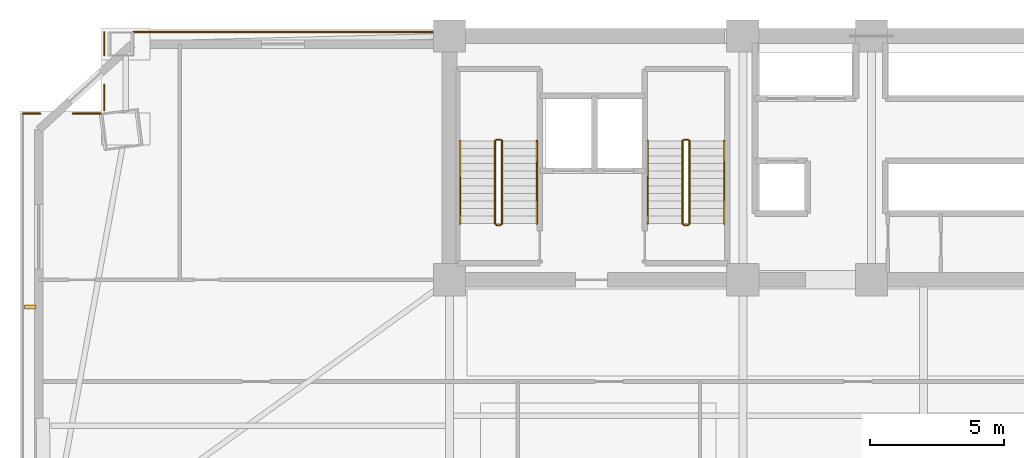
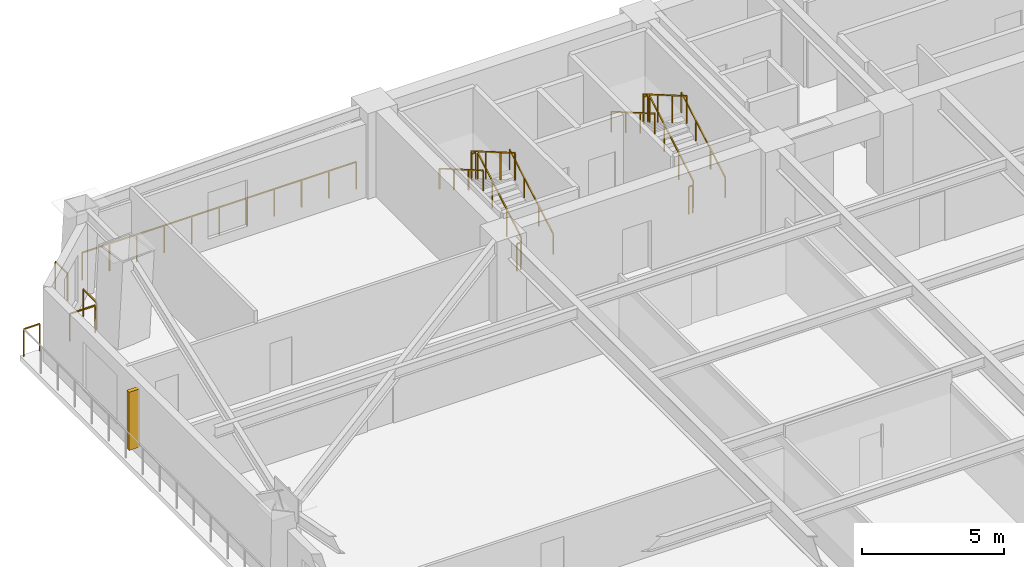
# One storey, part 14 of 15: 17 railings, 1 shading device.
"""IFC4 building model written with IfcOpenShell, lengths in metres."""

import ifcopenshell
import ifcopenshell.guid

model = None  # the IFC model being written
_history = None  # IfcOwnerHistory: only IFC2X3 demands one
_inside = {}  # id of a spatial element -> (the spatial element, [elements in it])
_under = {}  # id of a project, library or spatial element -> (it, [spatial elements below it])
_declared = {}  # id of a project -> (the project, [libraries it declares])
_typed = {}  # id of a type object -> (the type object, [elements of that type])
_made_of = {}  # id of a material, layer set ... -> (it, [elements and type objects made of it])


def new_model(schema):
    """Start an empty IFC model of exactly this schema.

    Asked for "IFC4X3", IfcOpenShell would pick the latest addendum, in which some entities
    have other attributes; the version numbers below select the first issue.
    IFC2X3 requires an IfcOwnerHistory on every rooted entity: one is made here for all.
    """
    global model, _history
    if schema == "IFC4X3":
        model = ifcopenshell.file(schema_version=(4, 3, 0, 0))
    else:
        model = ifcopenshell.file(schema=schema)
    _inside.clear()
    _under.clear()
    _declared.clear()
    _typed.clear()
    _made_of.clear()
    _history = None
    if model.schema == "IFC2X3":
        org = make("IfcOrganization", Name="unknown")
        user = make(
            "IfcPersonAndOrganization",
            ThePerson=make("IfcPerson", FamilyName="unknown"),
            TheOrganization=org,
        )
        app = make(
            "IfcApplication",
            ApplicationDeveloper=org,
            Version="unknown",
            ApplicationFullName="unknown",
            ApplicationIdentifier="unknown",
        )
        _history = make(
            "IfcOwnerHistory",
            OwningUser=user,
            OwningApplication=app,
            ChangeAction="ADDED",
            CreationDate=0,
        )
    return model


def make(cls, **values):
    """One entity of the class cls with the attributes given. An attribute that is None is left unset."""
    return model.create_entity(
        cls, **{name: value for name, value in values.items() if value is not None}
    )


def rooted(cls, **values):
    """An entity with a GlobalId (a new one), such as an element, a storey or a relation."""
    return make(cls, GlobalId=ifcopenshell.guid.new(), OwnerHistory=_history, **values)


def si_unit(unit_type, name, prefix=None):
    """IfcSIUnit, for example si_unit("LENGTHUNIT", "METRE", prefix="MILLI")."""
    return make("IfcSIUnit", UnitType=unit_type, Prefix=prefix, Name=name)


def assignment(units):
    """IfcUnitAssignment: the units of a project."""
    return None if units is None else make("IfcUnitAssignment", Units=units)


def point(xyz):
    """IfcCartesianPoint."""
    return None if xyz is None else make("IfcCartesianPoint", Coordinates=xyz)


def direction(xyz):
    """IfcDirection."""
    return None if xyz is None else make("IfcDirection", DirectionRatios=xyz)


def frame(location, z_axis=None, x_axis=None):
    """IfcAxis2Placement3D, a coordinate frame: its origin and axes. An axis left out is left unset."""
    return make(
        "IfcAxis2Placement3D",
        Location=point(location),
        Axis=direction(z_axis),
        RefDirection=direction(x_axis),
    )


def frame_2d(location, x_axis=None):
    """IfcAxis2Placement2D, a coordinate frame in the plane: its origin and x axis."""
    return make(
        "IfcAxis2Placement2D", Location=point(location), RefDirection=direction(x_axis)
    )


def origin():
    """The frame at (0, 0, 0) with its axes left unset."""
    return frame((0.0, 0.0, 0.0))


def origin_2d():
    """The frame at (0, 0) in the plane with its x axis left unset."""
    return frame_2d((0.0, 0.0))


def place(relative_to, where):
    """IfcLocalPlacement: puts the frame where relative to a parent placement (None: the world)."""
    return make(
        "IfcLocalPlacement", PlacementRelTo=relative_to, RelativePlacement=where
    )


def context(
    kind, dimensions, precision=None, world=None, true_north=None, identifier=None
):
    """IfcGeometricRepresentationContext, for example the 3D "Model" context."""
    return make(
        "IfcGeometricRepresentationContext",
        ContextIdentifier=identifier,
        ContextType=kind,
        CoordinateSpaceDimension=dimensions,
        Precision=precision,
        WorldCoordinateSystem=world,
        TrueNorth=true_north,
    )


def subcontext(parent, identifier, kind, view, scale=None):
    """IfcGeometricRepresentationSubContext, for example "Body" below "Model"."""
    return make(
        "IfcGeometricRepresentationSubContext",
        ContextIdentifier=identifier,
        ContextType=kind,
        ParentContext=parent,
        TargetScale=scale,
        TargetView=view,
    )


def project(units=None, contexts=None):
    """IfcProject with its units and contexts."""
    return rooted(
        "IfcProject",
        Name="project",
        RepresentationContexts=contexts,
        UnitsInContext=assignment(units),
    )


def spatial(cls, under=None, at=None, **own):
    """A site, building, storey or space (cls), placed at a placement, below another one or the project."""
    s = rooted(cls, ObjectPlacement=at, **own)
    if under is not None:
        _under.setdefault(under.id(), (under, []))[1].append(s)
    return s


def profile(cls, at=None, kind="AREA", **sizes):
    """A parametric profile (cls). Its sizes go by their IFC names, for example OverallWidth=200.0."""
    return make(cls, ProfileType=kind, Position=at, **sizes)


def rectangle(**sizes):
    """IfcRectangleProfileDef."""
    return profile("IfcRectangleProfileDef", **sizes)


def extrude(swept, where, along, depth):
    """IfcExtrudedAreaSolid: the profile swept, set in the frame where, extruded along a direction by depth."""
    return make(
        "IfcExtrudedAreaSolid",
        SweptArea=swept,
        Position=where,
        ExtrudedDirection=direction(along),
        Depth=depth,
    )


def shape(context_of_items, identifier, shape_type, items):
    """IfcShapeRepresentation: the items that make up one representation, for example the "Body"."""
    return make(
        "IfcShapeRepresentation",
        ContextOfItems=context_of_items,
        RepresentationIdentifier=identifier,
        RepresentationType=shape_type,
        Items=items,
    )


def source(mapping_origin, context_of_items, identifier, shape_type, items):
    """IfcRepresentationMap: a shape defined once, which mapped items show again and again."""
    return make(
        "IfcRepresentationMap",
        MappingOrigin=mapping_origin,
        MappedRepresentation=shape(context_of_items, identifier, shape_type, items),
    )


def transform(
    local_origin,
    x_axis=None,
    y_axis=None,
    z_axis=None,
    scale=None,
    scale2=None,
    scale3=None,
    uniform=True,
):
    """IfcCartesianTransformationOperator3D, or its non-uniform kind. x_axis, y_axis, z_axis: its Axis1, 2, 3."""
    if uniform:
        return make(
            "IfcCartesianTransformationOperator3D",
            Axis1=direction(x_axis),
            Axis2=direction(y_axis),
            LocalOrigin=point(local_origin),
            Scale=scale,
            Axis3=direction(z_axis),
        )
    return make(
        "IfcCartesianTransformationOperator3DnonUniform",
        Axis1=direction(x_axis),
        Axis2=direction(y_axis),
        LocalOrigin=point(local_origin),
        Scale=scale,
        Axis3=direction(z_axis),
        Scale2=scale2,
        Scale3=scale3,
    )


def mapped(mapping_source, mapping_target):
    """IfcMappedItem: shows the shape of a source again, moved by a transform."""
    return make(
        "IfcMappedItem", MappingSource=mapping_source, MappingTarget=mapping_target
    )


def material(Name=None, Category=None):
    """IfcMaterial."""
    return make("IfcMaterial", Name=Name, Category=Category)


def made_of(thing, what):
    """Note that an element or type object is made of a material, layer set ...; save() writes the relation."""
    if what is not None:
        _made_of.setdefault(what.id(), (what, []))[1].append(thing)
    return thing


def type_object(cls, material=None, **own):
    """A type object (cls), such as IfcWallType, which elements share."""
    return made_of(rooted(cls, **own), material)


def element(
    cls,
    number,
    at=None,
    inside=None,
    cuts=None,
    type_object=None,
    material=None,
    context=None,
    identifier="Body",
    shape_type=None,
    held_by="IfcProductDefinitionShape",
    body=None,
    shapes=None,
    **own,
):
    """One element of the class cls, such as IfcWall. Its Tag is "e" and its number.

    at: its placement. inside: the storey or other place that contains it. cuts: it is an
    opening in that element (IfcRelVoidsElement). A single representation is given by context,
    identifier, shape_type and body (its items); several are given by shapes. held_by: the class
    of the entity that holds the representations. save() writes the other relations.
    """
    e = rooted(cls, Tag="e%d" % number, ObjectPlacement=at, **own)
    if body is not None:
        shapes = [shape(context, identifier, shape_type, body)]
    if shapes is not None:
        e.Representation = make(held_by, Representations=shapes)
    if inside is not None:
        _inside.setdefault(inside.id(), (inside, []))[1].append(e)
    if cuts is not None:
        rooted(
            "IfcRelVoidsElement", RelatingBuildingElement=cuts, RelatedOpeningElement=e
        )
    if type_object is not None:
        _typed.setdefault(type_object.id(), (type_object, []))[1].append(e)
    return made_of(e, material)


def aggregate(whole, parts):
    """IfcRelAggregates: a whole, such as a stair, and the parts it consists of."""
    return rooted("IfcRelAggregates", RelatingObject=whole, RelatedObjects=parts)


def save(model, path):
    """Write the relations noted so far, then the file.

    IfcRelAggregates (storeys below a building ...), IfcRelContainedInSpatialStructure (elements
    in a storey), IfcRelDefinesByType, IfcRelAssociatesMaterial and IfcRelDeclares: one each for
    every whole, place, type object, material and project.
    """
    for whole, parts in _under.values():
        aggregate(whole, parts)
    for where, things in _inside.values():
        rooted(
            "IfcRelContainedInSpatialStructure",
            RelatedElements=things,
            RelatingStructure=where,
        )
    for kind, things in _typed.values():
        rooted("IfcRelDefinesByType", RelatedObjects=things, RelatingType=kind)
    for what, things in _made_of.values():
        rooted("IfcRelAssociatesMaterial", RelatedObjects=things, RelatingMaterial=what)
    for by, libraries in _declared.values():
        rooted("IfcRelDeclares", RelatingContext=by, RelatedDefinitions=libraries)
    model.write(path)


model = new_model("IFC4")

# Units and contexts
model_context = context("Model", 3, precision=1e-05, world=origin(), true_north=direction((0.0, 1.0)))
body_context = subcontext(model_context, "Body", "Model", "MODEL_VIEW")
ifc_project = project(units=[si_unit("LENGTHUNIT", "METRE"), si_unit("AREAUNIT", "SQUARE_METRE"), si_unit("VOLUMEUNIT", "CUBIC_METRE"), si_unit("PLANEANGLEUNIT", "RADIAN"), si_unit("MASSUNIT", "GRAM", prefix="KILO")], contexts=[model_context])

# Site, building, storey
site_placement = place(None, origin())
site = spatial("IfcSite", under=ifc_project, at=site_placement, CompositionType="ELEMENT")
building_placement = place(site_placement, origin())
building = spatial("IfcBuilding", under=site, at=building_placement, Name="Giltprow Tower", CompositionType="ELEMENT")
storey_placement = place(building_placement, frame((0.0, 0.0, 107.5)))
storey = spatial("IfcBuildingStorey", under=building, at=storey_placement, Name="L26", CompositionType="ELEMENT", Elevation=107.5)

# Railings
ifc_material = material(Name="Anodized bronze", Category="metal")
railing_type_1 = type_object("IfcRailingType", Name="RAIL-BALC-GUARD-1200", PredefinedType="BALUSTRADE", material=ifc_material)
railing_1_placement = place(storey_placement, frame((3.909912109375, 43.656005859375, 0.0)))
element("IfcRailing", 1, at=railing_1_placement, inside=storey, type_object=railing_type_1, Name="L26 Corner Apron Edge Balustrade 6", PredefinedType="BALUSTRADE", context=body_context, shape_type="SweptSolid", body=[
    extrude(rectangle(XDim=0.048095703125, YDim=0.048095703125, at=origin_2d()), frame((0.0, 0.0, 1.17578125), z_axis=(1.0, 0.0, 0.0), x_axis=(0.0, 1.0, 0.0)), (0.0, 0.0, 1.0), 0.649169921875),
    extrude(rectangle(XDim=0.0419921875, YDim=0.0419921875, at=origin_2d()), origin(), (0.0, 0.0, 1.0), 1.15185546875),
    extrude(rectangle(XDim=0.0419921875, YDim=0.0419921875, at=origin_2d()), frame((0.649169921875, 0.0, 0.0)), (0.0, 0.0, 1.0), 1.15185546875),
])
railing_2_placement = place(storey_placement, frame((5.77392578125, 43.656005859375, 0.0)))
element("IfcRailing", 2, at=railing_2_placement, inside=storey, type_object=railing_type_1, Name="L26 Corner Apron Edge Balustrade 7", PredefinedType="BALUSTRADE", context=body_context, shape_type="SweptSolid", body=[
    extrude(rectangle(XDim=0.048095703125, YDim=0.048095703125, at=origin_2d()), frame((0.0, 0.0, 1.17578125), z_axis=(1.0, 0.0, 0.0), x_axis=(0.0, 1.0, 0.0)), (0.0, 0.0, 1.0), 1.044189453125),
    extrude(rectangle(XDim=0.0419921875, YDim=0.0419921875, at=origin_2d()), origin(), (0.0, 0.0, 1.0), 1.15185546875),
    extrude(rectangle(XDim=0.0419921875, YDim=0.0419921875, at=origin_2d()), frame((1.044189453125, 0.0, 0.0)), (0.0, 0.0, 1.0), 1.15185546875),
])
railing_3_placement = place(storey_placement, frame((6.952880859375, 43.791015625, 0.0)))
element("IfcRailing", 3, at=railing_3_placement, inside=storey, type_object=railing_type_1, Name="L26 Corner Apron Edge Balustrade 8", PredefinedType="BALUSTRADE", context=body_context, shape_type="SweptSolid", body=[
    extrude(rectangle(XDim=0.048095703125, YDim=0.048095703125, at=origin_2d()), frame((0.0, 0.0, 1.17578125), z_axis=(0.0, 1.0, 0.0), x_axis=(-1.0, 0.0, 0.0)), (0.0, 0.0, 1.0), 0.94287109375),
    extrude(rectangle(XDim=0.0419921875, YDim=0.0419921875, at=origin_2d()), origin(), (0.0, 0.0, 1.0), 1.15185546875),
    extrude(rectangle(XDim=0.0419921875, YDim=0.0419921875, at=origin_2d()), frame((0.0, 0.94287109375, 0.0)), (0.0, 0.0, 1.0), 1.15185546875),
])
railing_4_placement = place(storey_placement, frame((6.952880859375, 45.844970703125, 0.0)))
element("IfcRailing", 4, at=railing_4_placement, inside=storey, type_object=railing_type_1, Name="L26 Corner Apron Edge Balustrade 9", PredefinedType="BALUSTRADE", context=body_context, shape_type="SweptSolid", body=[
    extrude(rectangle(XDim=0.048095703125, YDim=0.048095703125, at=origin_2d()), frame((0.0, 0.0, 1.17578125), z_axis=(0.0, 1.0, 0.0), x_axis=(-1.0, 0.0, 0.0)), (0.0, 0.0, 1.0), 0.85400390625),
    extrude(rectangle(XDim=0.0419921875, YDim=0.0419921875, at=origin_2d()), origin(), (0.0, 0.0, 1.0), 1.15185546875),
    extrude(rectangle(XDim=0.0419921875, YDim=0.0419921875, at=origin_2d()), frame((0.0, 0.85400390625, 0.0)), (0.0, 0.0, 1.0), 1.15185546875),
])
railing_5_placement = place(storey_placement, frame((8.0380859375, 46.698974609375, 0.0)))
element("IfcRailing", 5, at=railing_5_placement, inside=storey, type_object=railing_type_1, Name="L26 Corner Apron Edge Balustrade 10", PredefinedType="BALUSTRADE", context=body_context, shape_type="SweptSolid", body=[
    extrude(rectangle(XDim=0.048095703125, YDim=0.048095703125, at=origin_2d()), frame((0.0, 0.0, 1.17578125), z_axis=(1.0, 0.0, 0.0), x_axis=(0.0, 1.0, 0.0)), (0.0, 0.0, 1.0), 11.177001953125),
    extrude(rectangle(XDim=0.0419921875, YDim=0.0419921875, at=origin_2d()), origin(), (0.0, 0.0, 1.0), 1.15185546875),
    extrude(rectangle(XDim=0.0419921875, YDim=0.0419921875, at=origin_2d()), frame((1.11767578125, 0.0, 0.0)), (0.0, 0.0, 1.0), 1.15185546875),
    extrude(rectangle(XDim=0.0419921875, YDim=0.0419921875, at=origin_2d()), frame((2.2353515625, 0.0, 0.0)), (0.0, 0.0, 1.0), 1.15185546875),
    extrude(rectangle(XDim=0.0419921875, YDim=0.0419921875, at=origin_2d()), frame((3.35302734375, 0.0, 0.0)), (0.0, 0.0, 1.0), 1.15185546875),
    extrude(rectangle(XDim=0.0419921875, YDim=0.0419921875, at=origin_2d()), frame((4.470703125, 0.0, 0.0)), (0.0, 0.0, 1.0), 1.15185546875),
    extrude(rectangle(XDim=0.0419921875, YDim=0.0419921875, at=origin_2d()), frame((5.58837890625, 0.0, 0.0)), (0.0, 0.0, 1.0), 1.15185546875),
    extrude(rectangle(XDim=0.0419921875, YDim=0.0419921875, at=origin_2d()), frame((6.706298828125, 0.0, 0.0)), (0.0, 0.0, 1.0), 1.15185546875),
    extrude(rectangle(XDim=0.0419921875, YDim=0.0419921875, at=origin_2d()), frame((7.823974609375, 0.0, 0.0)), (0.0, 0.0, 1.0), 1.15185546875),
    extrude(rectangle(XDim=0.0419921875, YDim=0.0419921875, at=origin_2d()), frame((8.941650390625, 0.0, 0.0)), (0.0, 0.0, 1.0), 1.15185546875),
    extrude(rectangle(XDim=0.0419921875, YDim=0.0419921875, at=origin_2d()), frame((10.059326171875, 0.0, 0.0)), (0.0, 0.0, 1.0), 1.15185546875),
    extrude(rectangle(XDim=0.0419921875, YDim=0.0419921875, at=origin_2d()), frame((11.177001953125, 0.0, 0.0)), (0.0, 0.0, 1.0), 1.15185546875),
])
railing_type_2 = type_object("IfcRailingType", Name="RAIL-STAIR-GUARD-1200", PredefinedType="GUARDRAIL", material=ifc_material)
railing_6_placement = place(storey_placement, frame((21.81005859375, 39.550048828125, 0.16259765625)))
element("IfcRailing", 6, at=railing_6_placement, inside=storey, type_object=railing_type_2, Name="L26 ST-1 stair guard 1", PredefinedType="GUARDRAIL", context=body_context, shape_type="SweptSolid", body=[
    extrude(rectangle(XDim=0.048095703125, YDim=0.048095703125, at=origin_2d()), frame((0.0, 0.0, 1.17578125), z_axis=(0.0, 0.864903211148, 0.501938676878), x_axis=(-1.0, 0.0, 0.0)), (0.0, 0.0, 1.0), 3.560791015625),
    extrude(rectangle(XDim=0.0419921875, YDim=0.0419921875, at=origin_2d()), origin(), (0.0, 0.0, 1.0), 1.15185546875),
    extrude(rectangle(XDim=0.0419921875, YDim=0.0419921875, at=origin_2d()), frame((0.0, 1.026611328125, 0.595703125)), (0.0, 0.0, 1.0), 1.15185546875),
    extrude(rectangle(XDim=0.0419921875, YDim=0.0419921875, at=origin_2d()), frame((0.0, 2.05322265625, 1.191650390625)), (0.0, 0.0, 1.0), 1.15185546875),
    extrude(rectangle(XDim=0.0419921875, YDim=0.0419921875, at=origin_2d()), frame((0.0, 3.079833984375, 1.787353515625)), (0.0, 0.0, 1.0), 1.15185546875),
])
railing_7_placement = place(storey_placement, frame((21.760009765625, 42.679931640625, 1.949951171875)))
element("IfcRailing", 7, at=railing_7_placement, inside=storey, type_object=railing_type_2, Name="L26 ST-1 stair guard 2", PredefinedType="GUARDRAIL", context=body_context, shape_type="SweptSolid", body=[
    extrude(rectangle(XDim=0.048095703125, YDim=0.048095703125, at=origin_2d()), frame((0.0, 0.0, 1.17578125), z_axis=(-1.0, 0.0, 0.0), x_axis=(0.0, -1.0, 0.0)), (0.0, 0.0, 1.0), 0.159912109375),
    extrude(rectangle(XDim=0.0419921875, YDim=0.0419921875, at=origin_2d()), origin(), (0.0, 0.0, 1.0), 1.15185546875),
    extrude(rectangle(XDim=0.0419921875, YDim=0.0419921875, at=origin_2d()), frame((-0.159912109375, 0.0, 0.0)), (0.0, 0.0, 1.0), 1.15185546875),
])
railing_8_placement = place(storey_placement, frame((21.550048828125, 42.6298828125, 2.112548828125)))
element("IfcRailing", 8, at=railing_8_placement, inside=storey, type_object=railing_type_2, Name="L26 ST-1 stair guard 3", PredefinedType="GUARDRAIL", context=body_context, shape_type="SweptSolid", body=[
    extrude(rectangle(XDim=0.048095703125, YDim=0.048095703125, at=origin_2d()), frame((0.0, 0.0, 1.17578125), z_axis=(0.0, -0.864903211148, 0.501938676878), x_axis=(1.0, 0.0, 0.0)), (0.0, 0.0, 1.0), 3.560791015625),
    extrude(rectangle(XDim=0.0419921875, YDim=0.0419921875, at=origin_2d()), origin(), (0.0, 0.0, 1.0), 1.15185546875),
    extrude(rectangle(XDim=0.0419921875, YDim=0.0419921875, at=origin_2d()), frame((0.0, -1.026611328125, 0.595703125)), (0.0, 0.0, 1.0), 1.15185546875),
    extrude(rectangle(XDim=0.0419921875, YDim=0.0419921875, at=origin_2d()), frame((0.0, -2.05322265625, 1.191650390625)), (0.0, 0.0, 1.0), 1.15185546875),
    extrude(rectangle(XDim=0.0419921875, YDim=0.0419921875, at=origin_2d()), frame((0.0, -3.079833984375, 1.787353515625)), (0.0, 0.0, 1.0), 1.15185546875),
])
railing_9_placement = place(storey_placement, frame((21.760009765625, 39.5, 0.0)))
element("IfcRailing", 9, at=railing_9_placement, inside=storey, type_object=railing_type_2, Name="L26 ST-1 stair guard 4", PredefinedType="GUARDRAIL", context=body_context, shape_type="SweptSolid", body=[
    extrude(rectangle(XDim=0.048095703125, YDim=0.048095703125, at=origin_2d()), frame((0.0, 0.0, 1.17578125), z_axis=(-1.0, 0.0, 0.0), x_axis=(0.0, -1.0, 0.0)), (0.0, 0.0, 1.0), 0.159912109375),
    extrude(rectangle(XDim=0.0419921875, YDim=0.0419921875, at=origin_2d()), origin(), (0.0, 0.0, 1.0), 1.15185546875),
    extrude(rectangle(XDim=0.0419921875, YDim=0.0419921875, at=origin_2d()), frame((-0.159912109375, 0.0, 0.0)), (0.0, 0.0, 1.0), 1.15185546875),
])
railing_10_placement = place(storey_placement, frame((28.81005859375, 39.550048828125, 0.16259765625)))
element("IfcRailing", 10, at=railing_10_placement, inside=storey, type_object=railing_type_2, Name="L26 ST-2 stair guard 1", PredefinedType="GUARDRAIL", context=body_context, shape_type="SweptSolid", body=[
    extrude(rectangle(XDim=0.048095703125, YDim=0.048095703125, at=origin_2d()), frame((0.0, 0.0, 1.17578125), z_axis=(0.0, 0.864903211148, 0.501938676878), x_axis=(-1.0, 0.0, 0.0)), (0.0, 0.0, 1.0), 3.560791015625),
    extrude(rectangle(XDim=0.0419921875, YDim=0.0419921875, at=origin_2d()), origin(), (0.0, 0.0, 1.0), 1.15185546875),
    extrude(rectangle(XDim=0.0419921875, YDim=0.0419921875, at=origin_2d()), frame((0.0, 1.026611328125, 0.595703125)), (0.0, 0.0, 1.0), 1.15185546875),
    extrude(rectangle(XDim=0.0419921875, YDim=0.0419921875, at=origin_2d()), frame((0.0, 2.05322265625, 1.191650390625)), (0.0, 0.0, 1.0), 1.15185546875),
    extrude(rectangle(XDim=0.0419921875, YDim=0.0419921875, at=origin_2d()), frame((0.0, 3.079833984375, 1.787353515625)), (0.0, 0.0, 1.0), 1.15185546875),
])
railing_11_placement = place(storey_placement, frame((28.760009765625, 42.679931640625, 1.949951171875)))
element("IfcRailing", 11, at=railing_11_placement, inside=storey, type_object=railing_type_2, Name="L26 ST-2 stair guard 2", PredefinedType="GUARDRAIL", context=body_context, shape_type="SweptSolid", body=[
    extrude(rectangle(XDim=0.048095703125, YDim=0.048095703125, at=origin_2d()), frame((0.0, 0.0, 1.17578125), z_axis=(-1.0, 0.0, 0.0), x_axis=(0.0, -1.0, 0.0)), (0.0, 0.0, 1.0), 0.159912109375),
    extrude(rectangle(XDim=0.0419921875, YDim=0.0419921875, at=origin_2d()), origin(), (0.0, 0.0, 1.0), 1.15185546875),
    extrude(rectangle(XDim=0.0419921875, YDim=0.0419921875, at=origin_2d()), frame((-0.159912109375, 0.0, 0.0)), (0.0, 0.0, 1.0), 1.15185546875),
])
railing_12_placement = place(storey_placement, frame((28.550048828125, 42.6298828125, 2.112548828125)))
element("IfcRailing", 12, at=railing_12_placement, inside=storey, type_object=railing_type_2, Name="L26 ST-2 stair guard 3", PredefinedType="GUARDRAIL", context=body_context, shape_type="SweptSolid", body=[
    extrude(rectangle(XDim=0.048095703125, YDim=0.048095703125, at=origin_2d()), frame((0.0, 0.0, 1.17578125), z_axis=(0.0, -0.864903211148, 0.501938676878), x_axis=(1.0, 0.0, 0.0)), (0.0, 0.0, 1.0), 3.560791015625),
    extrude(rectangle(XDim=0.0419921875, YDim=0.0419921875, at=origin_2d()), origin(), (0.0, 0.0, 1.0), 1.15185546875),
    extrude(rectangle(XDim=0.0419921875, YDim=0.0419921875, at=origin_2d()), frame((0.0, -1.026611328125, 0.595703125)), (0.0, 0.0, 1.0), 1.15185546875),
    extrude(rectangle(XDim=0.0419921875, YDim=0.0419921875, at=origin_2d()), frame((0.0, -2.05322265625, 1.191650390625)), (0.0, 0.0, 1.0), 1.15185546875),
    extrude(rectangle(XDim=0.0419921875, YDim=0.0419921875, at=origin_2d()), frame((0.0, -3.079833984375, 1.787353515625)), (0.0, 0.0, 1.0), 1.15185546875),
])
railing_13_placement = place(storey_placement, frame((28.760009765625, 39.5, 0.0)))
element("IfcRailing", 13, at=railing_13_placement, inside=storey, type_object=railing_type_2, Name="L26 ST-2 stair guard 4", PredefinedType="GUARDRAIL", context=body_context, shape_type="SweptSolid", body=[
    extrude(rectangle(XDim=0.048095703125, YDim=0.048095703125, at=origin_2d()), frame((0.0, 0.0, 1.17578125), z_axis=(-1.0, 0.0, 0.0), x_axis=(0.0, -1.0, 0.0)), (0.0, 0.0, 1.0), 0.159912109375),
    extrude(rectangle(XDim=0.0419921875, YDim=0.0419921875, at=origin_2d()), origin(), (0.0, 0.0, 1.0), 1.15185546875),
    extrude(rectangle(XDim=0.0419921875, YDim=0.0419921875, at=origin_2d()), frame((-0.159912109375, 0.0, 0.0)), (0.0, 0.0, 1.0), 1.15185546875),
])
railing_type_3 = type_object("IfcRailingType", Name="RAIL-STAIR-HAND-900", PredefinedType="HANDRAIL", material=ifc_material)
railing_14_placement = place(storey_placement, frame((23.110107421875, 39.550048828125, 0.16259765625)))
element("IfcRailing", 14, at=railing_14_placement, inside=storey, type_object=railing_type_3, Name="L26 ST-1 stair handrail 1", PredefinedType="HANDRAIL", context=body_context, shape_type="SweptSolid", body=[
    extrude(rectangle(XDim=0.048095703125, YDim=0.048095703125, at=origin_2d()), frame((0.0, 0.0, 0.8759765625), z_axis=(0.0, 0.864903211148, 0.501938676878), x_axis=(-1.0, 0.0, 0.0)), (0.0, 0.0, 1.0), 3.560791015625),
    extrude(rectangle(XDim=0.0419921875, YDim=0.0419921875, at=origin_2d()), origin(), (0.0, 0.0, 1.0), 0.851806640625),
    extrude(rectangle(XDim=0.0419921875, YDim=0.0419921875, at=origin_2d()), frame((0.0, 1.026611328125, 0.595703125)), (0.0, 0.0, 1.0), 0.851806640625),
    extrude(rectangle(XDim=0.0419921875, YDim=0.0419921875, at=origin_2d()), frame((0.0, 2.05322265625, 1.191650390625)), (0.0, 0.0, 1.0), 0.851806640625),
    extrude(rectangle(XDim=0.0419921875, YDim=0.0419921875, at=origin_2d()), frame((0.0, 3.079833984375, 1.787353515625)), (0.0, 0.0, 1.0), 0.851806640625),
])
railing_15_placement = place(storey_placement, frame((20.25, 42.6298828125, 2.112548828125)))
element("IfcRailing", 15, at=railing_15_placement, inside=storey, type_object=railing_type_3, Name="L26 ST-1 stair handrail 2", PredefinedType="HANDRAIL", context=body_context, shape_type="SweptSolid", body=[
    extrude(rectangle(XDim=0.048095703125, YDim=0.048095703125, at=origin_2d()), frame((0.0, 0.0, 0.8759765625), z_axis=(0.0, -0.864903211148, 0.501938676878), x_axis=(1.0, 0.0, 0.0)), (0.0, 0.0, 1.0), 3.560791015625),
    extrude(rectangle(XDim=0.0419921875, YDim=0.0419921875, at=origin_2d()), origin(), (0.0, 0.0, 1.0), 0.851806640625),
    extrude(rectangle(XDim=0.0419921875, YDim=0.0419921875, at=origin_2d()), frame((0.0, -1.026611328125, 0.595703125)), (0.0, 0.0, 1.0), 0.851806640625),
    extrude(rectangle(XDim=0.0419921875, YDim=0.0419921875, at=origin_2d()), frame((0.0, -2.05322265625, 1.191650390625)), (0.0, 0.0, 1.0), 0.851806640625),
    extrude(rectangle(XDim=0.0419921875, YDim=0.0419921875, at=origin_2d()), frame((0.0, -3.079833984375, 1.787353515625)), (0.0, 0.0, 1.0), 0.851806640625),
])
railing_16_placement = place(storey_placement, frame((30.110107421875, 39.550048828125, 0.16259765625)))
element("IfcRailing", 16, at=railing_16_placement, inside=storey, type_object=railing_type_3, Name="L26 ST-2 stair handrail 1", PredefinedType="HANDRAIL", context=body_context, shape_type="SweptSolid", body=[
    extrude(rectangle(XDim=0.048095703125, YDim=0.048095703125, at=origin_2d()), frame((0.0, 0.0, 0.8759765625), z_axis=(0.0, 0.864903211148, 0.501938676878), x_axis=(-1.0, 0.0, 0.0)), (0.0, 0.0, 1.0), 3.560791015625),
    extrude(rectangle(XDim=0.0419921875, YDim=0.0419921875, at=origin_2d()), origin(), (0.0, 0.0, 1.0), 0.851806640625),
    extrude(rectangle(XDim=0.0419921875, YDim=0.0419921875, at=origin_2d()), frame((0.0, 1.026611328125, 0.595703125)), (0.0, 0.0, 1.0), 0.851806640625),
    extrude(rectangle(XDim=0.0419921875, YDim=0.0419921875, at=origin_2d()), frame((0.0, 2.05322265625, 1.191650390625)), (0.0, 0.0, 1.0), 0.851806640625),
    extrude(rectangle(XDim=0.0419921875, YDim=0.0419921875, at=origin_2d()), frame((0.0, 3.079833984375, 1.787353515625)), (0.0, 0.0, 1.0), 0.851806640625),
])
railing_17_placement = place(storey_placement, frame((27.25, 42.6298828125, 2.112548828125)))
element("IfcRailing", 17, at=railing_17_placement, inside=storey, type_object=railing_type_3, Name="L26 ST-2 stair handrail 2", PredefinedType="HANDRAIL", context=body_context, shape_type="SweptSolid", body=[
    extrude(rectangle(XDim=0.048095703125, YDim=0.048095703125, at=origin_2d()), frame((0.0, 0.0, 0.8759765625), z_axis=(0.0, -0.864903211148, 0.501938676878), x_axis=(1.0, 0.0, 0.0)), (0.0, 0.0, 1.0), 3.560791015625),
    extrude(rectangle(XDim=0.0419921875, YDim=0.0419921875, at=origin_2d()), origin(), (0.0, 0.0, 1.0), 0.851806640625),
    extrude(rectangle(XDim=0.0419921875, YDim=0.0419921875, at=origin_2d()), frame((0.0, -1.026611328125, 0.595703125)), (0.0, 0.0, 1.0), 0.851806640625),
    extrude(rectangle(XDim=0.0419921875, YDim=0.0419921875, at=origin_2d()), frame((0.0, -2.05322265625, 1.191650390625)), (0.0, 0.0, 1.0), 0.851806640625),
    extrude(rectangle(XDim=0.0419921875, YDim=0.0419921875, at=origin_2d()), frame((0.0, -3.079833984375, 1.787353515625)), (0.0, 0.0, 1.0), 0.851806640625),
])

# Shading device
shading_device_type = type_object("IfcShadingDeviceType", Name="SHD-FIN-420", PredefinedType="USERDEFINED", material=ifc_material)
shared_shape = source(origin(), body_context, "Body", "SweptSolid", [
    extrude(rectangle(XDim=0.419921875, YDim=0.159912109375, at=origin_2d()), origin(), (0.0, 0.0, 1.0), 2.5),
])
shading_device_placement = place(storey_placement, frame((4.18994140625, 36.431884765625, 0.35009765625), z_axis=(0.0, 0.0, 1.0), x_axis=(1.0, 0.0, 0.0)))
element("IfcShadingDevice", 18, at=shading_device_placement, inside=storey, type_object=shading_device_type, Name="L26 W Bronze Vertical Fin 2-1", ObjectType="FIN", PredefinedType="USERDEFINED", context=body_context, shape_type="MappedRepresentation", body=[
    mapped(shared_shape, transform((0.0, 0.0, 0.0), x_axis=(1.0, 0.0, 0.0), y_axis=(0.0, 1.0, 0.0), z_axis=(0.0, 0.0, 1.0), scale=1.0)),
])

save(model, "model.ifc")
